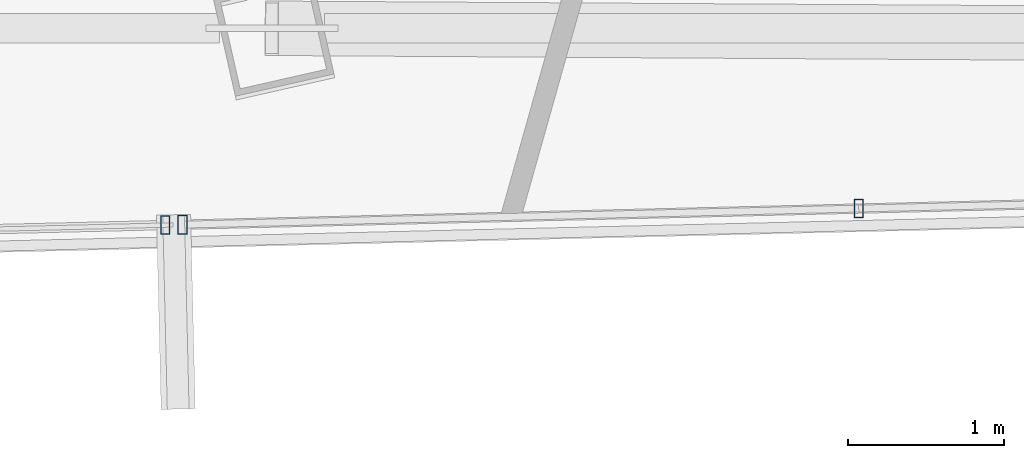
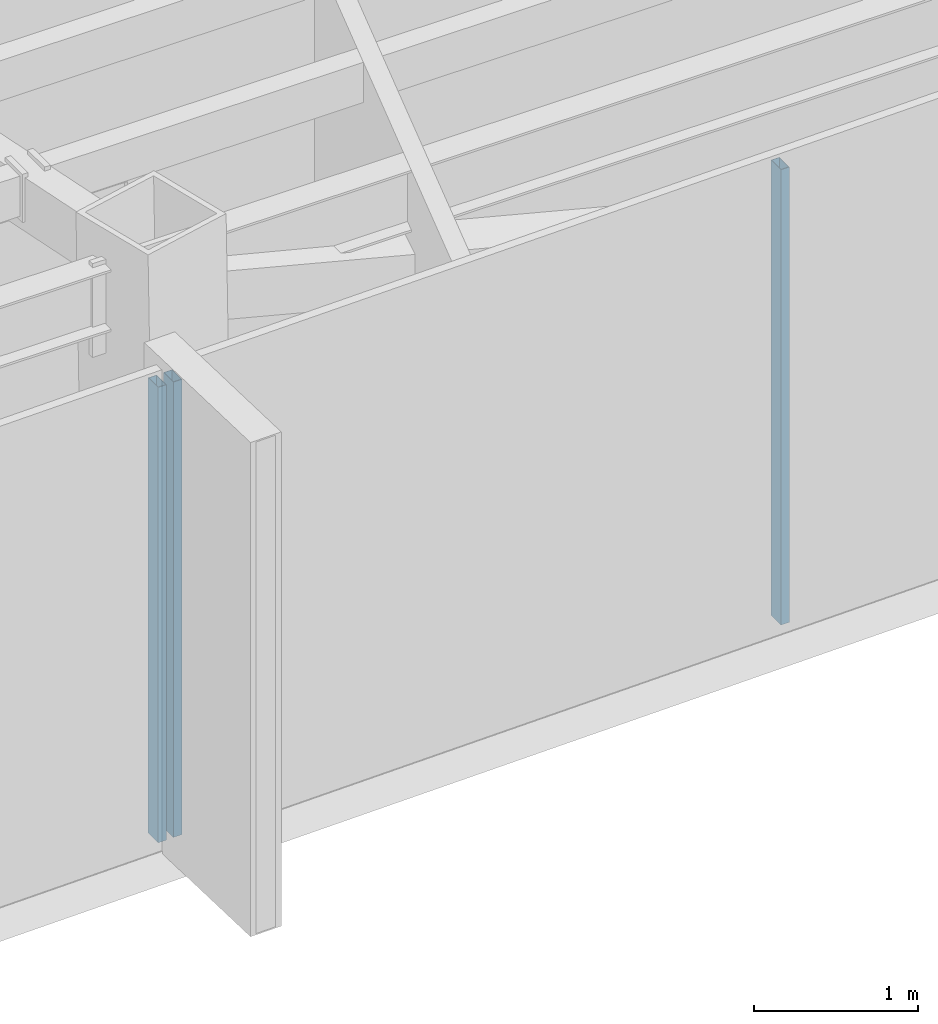
# One storey, part 11 of 45: 3 members, 2 elements without a shape of their own.
"""IFC4 building model written with IfcOpenShell, lengths in metres."""

import ifcopenshell
import ifcopenshell.guid

model = None  # the IFC model being written
_history = None  # IfcOwnerHistory: only IFC2X3 demands one
_inside = {}  # id of a spatial element -> (the spatial element, [elements in it])
_under = {}  # id of a project, library or spatial element -> (it, [spatial elements below it])
_declared = {}  # id of a project -> (the project, [libraries it declares])
_typed = {}  # id of a type object -> (the type object, [elements of that type])
_made_of = {}  # id of a material, layer set ... -> (it, [elements and type objects made of it])


def new_model(schema):
    """Start an empty IFC model of exactly this schema.

    Asked for "IFC4X3", IfcOpenShell would pick the latest addendum, in which some entities
    have other attributes; the version numbers below select the first issue.
    IFC2X3 requires an IfcOwnerHistory on every rooted entity: one is made here for all.
    """
    global model, _history
    if schema == "IFC4X3":
        model = ifcopenshell.file(schema_version=(4, 3, 0, 0))
    else:
        model = ifcopenshell.file(schema=schema)
    _inside.clear()
    _under.clear()
    _declared.clear()
    _typed.clear()
    _made_of.clear()
    _history = None
    if model.schema == "IFC2X3":
        org = make("IfcOrganization", Name="unknown")
        user = make(
            "IfcPersonAndOrganization",
            ThePerson=make("IfcPerson", FamilyName="unknown"),
            TheOrganization=org,
        )
        app = make(
            "IfcApplication",
            ApplicationDeveloper=org,
            Version="unknown",
            ApplicationFullName="unknown",
            ApplicationIdentifier="unknown",
        )
        _history = make(
            "IfcOwnerHistory",
            OwningUser=user,
            OwningApplication=app,
            ChangeAction="ADDED",
            CreationDate=0,
        )
    return model


def make(cls, **values):
    """One entity of the class cls with the attributes given. An attribute that is None is left unset."""
    return model.create_entity(
        cls, **{name: value for name, value in values.items() if value is not None}
    )


def rooted(cls, **values):
    """An entity with a GlobalId (a new one), such as an element, a storey or a relation."""
    return make(cls, GlobalId=ifcopenshell.guid.new(), OwnerHistory=_history, **values)


def si_unit(unit_type, name, prefix=None):
    """IfcSIUnit, for example si_unit("LENGTHUNIT", "METRE", prefix="MILLI")."""
    return make("IfcSIUnit", UnitType=unit_type, Prefix=prefix, Name=name)


def assignment(units):
    """IfcUnitAssignment: the units of a project."""
    return None if units is None else make("IfcUnitAssignment", Units=units)


def point(xyz):
    """IfcCartesianPoint."""
    return None if xyz is None else make("IfcCartesianPoint", Coordinates=xyz)


def direction(xyz):
    """IfcDirection."""
    return None if xyz is None else make("IfcDirection", DirectionRatios=xyz)


def frame(location, z_axis=None, x_axis=None):
    """IfcAxis2Placement3D, a coordinate frame: its origin and axes. An axis left out is left unset."""
    return make(
        "IfcAxis2Placement3D",
        Location=point(location),
        Axis=direction(z_axis),
        RefDirection=direction(x_axis),
    )


def frame_2d(location, x_axis=None):
    """IfcAxis2Placement2D, a coordinate frame in the plane: its origin and x axis."""
    return make(
        "IfcAxis2Placement2D", Location=point(location), RefDirection=direction(x_axis)
    )


def origin():
    """The frame at (0, 0, 0) with its axes left unset."""
    return frame((0.0, 0.0, 0.0))


def origin_2d():
    """The frame at (0, 0) in the plane with its x axis left unset."""
    return frame_2d((0.0, 0.0))


def place(relative_to, where):
    """IfcLocalPlacement: puts the frame where relative to a parent placement (None: the world)."""
    return make(
        "IfcLocalPlacement", PlacementRelTo=relative_to, RelativePlacement=where
    )


def context(
    kind, dimensions, precision=None, world=None, true_north=None, identifier=None
):
    """IfcGeometricRepresentationContext, for example the 3D "Model" context."""
    return make(
        "IfcGeometricRepresentationContext",
        ContextIdentifier=identifier,
        ContextType=kind,
        CoordinateSpaceDimension=dimensions,
        Precision=precision,
        WorldCoordinateSystem=world,
        TrueNorth=true_north,
    )


def subcontext(parent, identifier, kind, view, scale=None):
    """IfcGeometricRepresentationSubContext, for example "Body" below "Model"."""
    return make(
        "IfcGeometricRepresentationSubContext",
        ContextIdentifier=identifier,
        ContextType=kind,
        ParentContext=parent,
        TargetScale=scale,
        TargetView=view,
    )


def project(units=None, contexts=None):
    """IfcProject with its units and contexts."""
    return rooted(
        "IfcProject",
        Name="project",
        RepresentationContexts=contexts,
        UnitsInContext=assignment(units),
    )


def spatial(cls, under=None, at=None, **own):
    """A site, building, storey or space (cls), placed at a placement, below another one or the project."""
    s = rooted(cls, ObjectPlacement=at, **own)
    if under is not None:
        _under.setdefault(under.id(), (under, []))[1].append(s)
    return s


def profile(cls, at=None, kind="AREA", **sizes):
    """A parametric profile (cls). Its sizes go by their IFC names, for example OverallWidth=200.0."""
    return make(cls, ProfileType=kind, Position=at, **sizes)


def hollow_rectangle(**sizes):
    """IfcRectangleHollowProfileDef."""
    return profile("IfcRectangleHollowProfileDef", **sizes)


def extrude(swept, where, along, depth):
    """IfcExtrudedAreaSolid: the profile swept, set in the frame where, extruded along a direction by depth."""
    return make(
        "IfcExtrudedAreaSolid",
        SweptArea=swept,
        Position=where,
        ExtrudedDirection=direction(along),
        Depth=depth,
    )


def shape(context_of_items, identifier, shape_type, items):
    """IfcShapeRepresentation: the items that make up one representation, for example the "Body"."""
    return make(
        "IfcShapeRepresentation",
        ContextOfItems=context_of_items,
        RepresentationIdentifier=identifier,
        RepresentationType=shape_type,
        Items=items,
    )


def source(mapping_origin, context_of_items, identifier, shape_type, items):
    """IfcRepresentationMap: a shape defined once, which mapped items show again and again."""
    return make(
        "IfcRepresentationMap",
        MappingOrigin=mapping_origin,
        MappedRepresentation=shape(context_of_items, identifier, shape_type, items),
    )


def transform(
    local_origin,
    x_axis=None,
    y_axis=None,
    z_axis=None,
    scale=None,
    scale2=None,
    scale3=None,
    uniform=True,
):
    """IfcCartesianTransformationOperator3D, or its non-uniform kind. x_axis, y_axis, z_axis: its Axis1, 2, 3."""
    if uniform:
        return make(
            "IfcCartesianTransformationOperator3D",
            Axis1=direction(x_axis),
            Axis2=direction(y_axis),
            LocalOrigin=point(local_origin),
            Scale=scale,
            Axis3=direction(z_axis),
        )
    return make(
        "IfcCartesianTransformationOperator3DnonUniform",
        Axis1=direction(x_axis),
        Axis2=direction(y_axis),
        LocalOrigin=point(local_origin),
        Scale=scale,
        Axis3=direction(z_axis),
        Scale2=scale2,
        Scale3=scale3,
    )


def mapped(mapping_source, mapping_target):
    """IfcMappedItem: shows the shape of a source again, moved by a transform."""
    return make(
        "IfcMappedItem", MappingSource=mapping_source, MappingTarget=mapping_target
    )


def material(Name=None, Category=None):
    """IfcMaterial."""
    return make("IfcMaterial", Name=Name, Category=Category)


def material_profile(
    of_material, cross_section, Name=None, Category=None, Priority=None
):
    """IfcMaterialProfile: a cross section and its material."""
    return make(
        "IfcMaterialProfile",
        Name=Name,
        Material=of_material,
        Profile=cross_section,
        Priority=Priority,
        Category=Category,
    )


def profile_set(profiles, Name=None, composite=None):
    """IfcMaterialProfileSet."""
    return make(
        "IfcMaterialProfileSet",
        Name=Name,
        MaterialProfiles=profiles,
        CompositeProfile=composite,
    )


def made_of(thing, what):
    """Note that an element or type object is made of a material, layer set ...; save() writes the relation."""
    if what is not None:
        _made_of.setdefault(what.id(), (what, []))[1].append(thing)
    return thing


def type_object(cls, material=None, **own):
    """A type object (cls), such as IfcWallType, which elements share."""
    return made_of(rooted(cls, **own), material)


def type_shapes(of_type, sources):
    """Give a type object the sources (RepresentationMaps) that its elements show as mapped items."""
    of_type.RepresentationMaps = sources


def element(
    cls,
    number,
    at=None,
    inside=None,
    cuts=None,
    type_object=None,
    material=None,
    context=None,
    identifier="Body",
    shape_type=None,
    held_by="IfcProductDefinitionShape",
    body=None,
    shapes=None,
    **own,
):
    """One element of the class cls, such as IfcWall. Its Tag is "e" and its number.

    at: its placement. inside: the storey or other place that contains it. cuts: it is an
    opening in that element (IfcRelVoidsElement). A single representation is given by context,
    identifier, shape_type and body (its items); several are given by shapes. held_by: the class
    of the entity that holds the representations. save() writes the other relations.
    """
    e = rooted(cls, Tag="e%d" % number, ObjectPlacement=at, **own)
    if body is not None:
        shapes = [shape(context, identifier, shape_type, body)]
    if shapes is not None:
        e.Representation = make(held_by, Representations=shapes)
    if inside is not None:
        _inside.setdefault(inside.id(), (inside, []))[1].append(e)
    if cuts is not None:
        rooted(
            "IfcRelVoidsElement", RelatingBuildingElement=cuts, RelatedOpeningElement=e
        )
    if type_object is not None:
        _typed.setdefault(type_object.id(), (type_object, []))[1].append(e)
    return made_of(e, material)


def aggregate(whole, parts):
    """IfcRelAggregates: a whole, such as a stair, and the parts it consists of."""
    return rooted("IfcRelAggregates", RelatingObject=whole, RelatedObjects=parts)


def save(model, path):
    """Write the relations noted so far, then the file.

    IfcRelAggregates (storeys below a building ...), IfcRelContainedInSpatialStructure (elements
    in a storey), IfcRelDefinesByType, IfcRelAssociatesMaterial and IfcRelDeclares: one each for
    every whole, place, type object, material and project.
    """
    for whole, parts in _under.values():
        aggregate(whole, parts)
    for where, things in _inside.values():
        rooted(
            "IfcRelContainedInSpatialStructure",
            RelatedElements=things,
            RelatingStructure=where,
        )
    for kind, things in _typed.values():
        rooted("IfcRelDefinesByType", RelatedObjects=things, RelatingType=kind)
    for what, things in _made_of.values():
        rooted("IfcRelAssociatesMaterial", RelatedObjects=things, RelatingMaterial=what)
    for by, libraries in _declared.values():
        rooted("IfcRelDeclares", RelatingContext=by, RelatedDefinitions=libraries)
    model.write(path)


model = new_model("IFC4")

# Units and contexts
model_context = context("Model", 3, precision=1e-05, world=origin(), true_north=direction((0.0, 1.0)))
body_context = subcontext(model_context, "Body", "Model", "MODEL_VIEW")
ifc_project = project(units=[si_unit("LENGTHUNIT", "METRE"), si_unit("AREAUNIT", "SQUARE_METRE"), si_unit("VOLUMEUNIT", "CUBIC_METRE"), si_unit("PLANEANGLEUNIT", "RADIAN"), si_unit("MASSUNIT", "GRAM", prefix="KILO")], contexts=[model_context])

# Site, building, storey
site_placement = place(None, origin())
site = spatial("IfcSite", under=ifc_project, at=site_placement, CompositionType="ELEMENT")
building_placement = place(site_placement, origin())
building = spatial("IfcBuilding", under=site, at=building_placement, Name="Caelisora Broadcast Tower", CompositionType="ELEMENT")
storey_placement = place(building_placement, frame((0.0, 0.0, 262.699951171875)))
storey = spatial("IfcBuildingStorey", under=building, at=storey_placement, Name="L69", CompositionType="ELEMENT", Elevation=262.699951171875)

# Curtain wall, members
ifc_material_1 = material(Name="Unitised Aluminium Insulated Shadow-Box Spandrel Curtain Wall", Category="aluminium")
curtain_wall_type_1 = type_object("IfcCurtainWallType", Name="CW-SP3", PredefinedType="NOTDEFINED", material=ifc_material_1)
curtain_wall_1_placement = place(storey_placement, origin())
curtain_wall_1 = element("IfcCurtainWall", 1, at=curtain_wall_1_placement, inside=storey, type_object=curtain_wall_type_1, Name="L69 curtain wall CW-SP3", PredefinedType="NOTDEFINED")
ifc_material_2 = material(Name="Aluminium 6063-T6 Anodised Terracotta Bronze", Category="aluminium")
ifc_material_profile = material_profile(ifc_material_2, hollow_rectangle(XDim=0.06005859375, YDim=0.1201171875, WallThickness=0.0029296875, at=origin_2d()), Name="Aluminium 6063-T6 Anodised Terracotta Bronze")
ifc_profile_set = profile_set([ifc_material_profile], Name="Aluminium 6063-T6 Anodised Terracotta Bronze")
member_type = type_object("IfcMemberType", Name="CWM-04", PredefinedType="MULLION", material=ifc_profile_set)
shared_shape = source(origin(), body_context, "Body", "SweptSolid", [
    extrude(hollow_rectangle(XDim=0.06005859375, YDim=0.1201171875, WallThickness=0.0029296875, at=origin_2d()), origin(), (0.0, 0.0, 1.0), 3.400146484375),
])
type_shapes(member_type, [shared_shape])
member_1_placement = place(storey_placement, frame((35.824951171875, 8.369873046875, 0.0), z_axis=(0.0, 0.0, 1.0), x_axis=(1.0, 0.0, 0.0)))
member_1 = element("IfcMember", 2, at=member_1_placement, type_object=member_type, Name="L69-CW-B06 mullion #2", PredefinedType="MULLION", context=body_context, shape_type="MappedRepresentation", body=[
    mapped(shared_shape, transform((0.0, 0.0, 0.0), scale=1.0)),
])
member_2_placement = place(storey_placement, frame((31.475341796875, 8.26611328125, 0.0), z_axis=(0.0, 0.0, 1.0), x_axis=(1.0, 0.0, 0.0)))
member_2 = element("IfcMember", 3, at=member_2_placement, type_object=member_type, Name="L69-CW-B06 mullion #3", PredefinedType="MULLION", context=body_context, shape_type="MappedRepresentation", body=[
    mapped(shared_shape, transform((0.0, 0.0, 0.0), scale=1.0)),
])
aggregate(curtain_wall_1, [member_1, member_2])

# Curtain wall, member
ifc_material_3 = material(Name="Unitised Aluminium and Low-E Glass Curtain Wall", Category="glass")
curtain_wall_type_2 = type_object("IfcCurtainWallType", Name="CW-Z5", PredefinedType="NOTDEFINED", material=ifc_material_3)
curtain_wall_2_placement = place(storey_placement, origin())
curtain_wall_2 = element("IfcCurtainWall", 4, at=curtain_wall_2_placement, inside=storey, type_object=curtain_wall_type_2, Name="L69 curtain wall CW-Z5", PredefinedType="NOTDEFINED")
member_3_placement = place(storey_placement, frame((31.365234375, 8.263671875, 0.0), z_axis=(0.0, 0.0, 1.0), x_axis=(1.0, 0.0, 0.0)))
member_3 = element("IfcMember", 5, at=member_3_placement, type_object=member_type, Name="L69-CW-B07 mullion #0", PredefinedType="MULLION", context=body_context, shape_type="MappedRepresentation", body=[
    mapped(shared_shape, transform((0.0, 0.0, 0.0), scale=1.0)),
])
aggregate(curtain_wall_2, [member_3])

save(model, "model.ifc")
